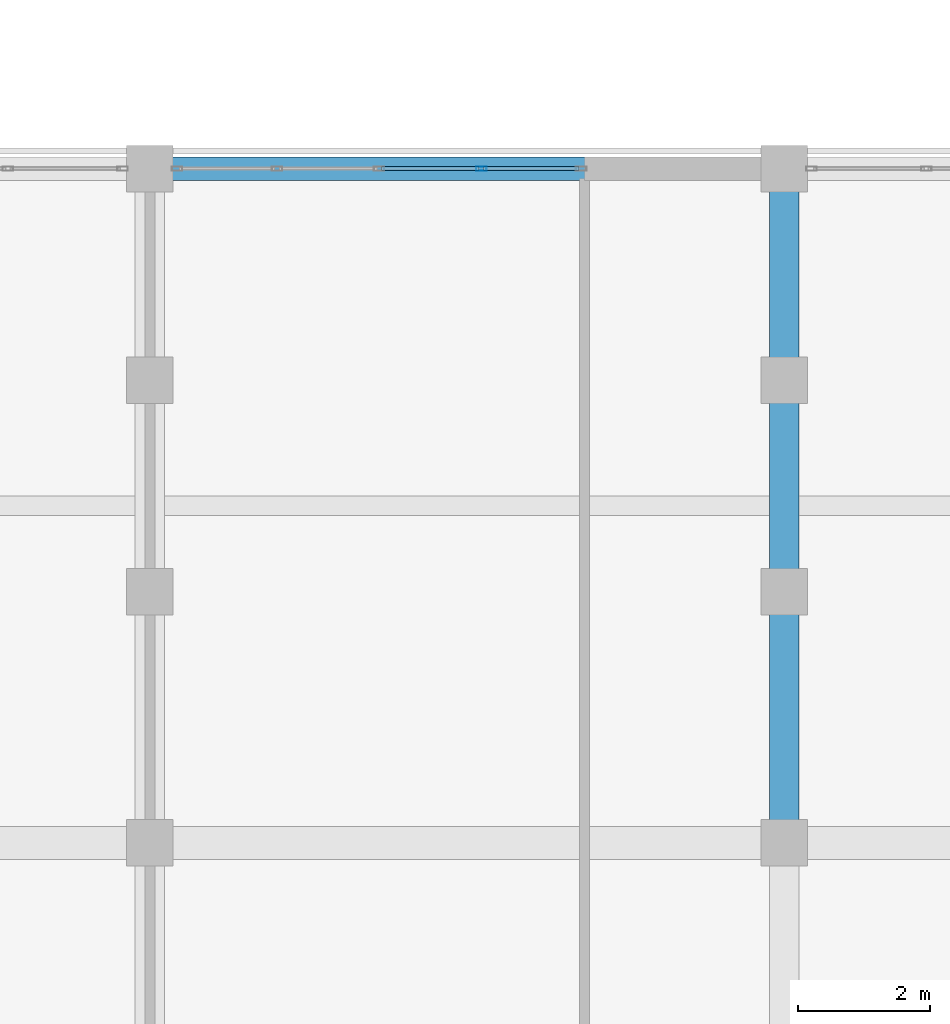
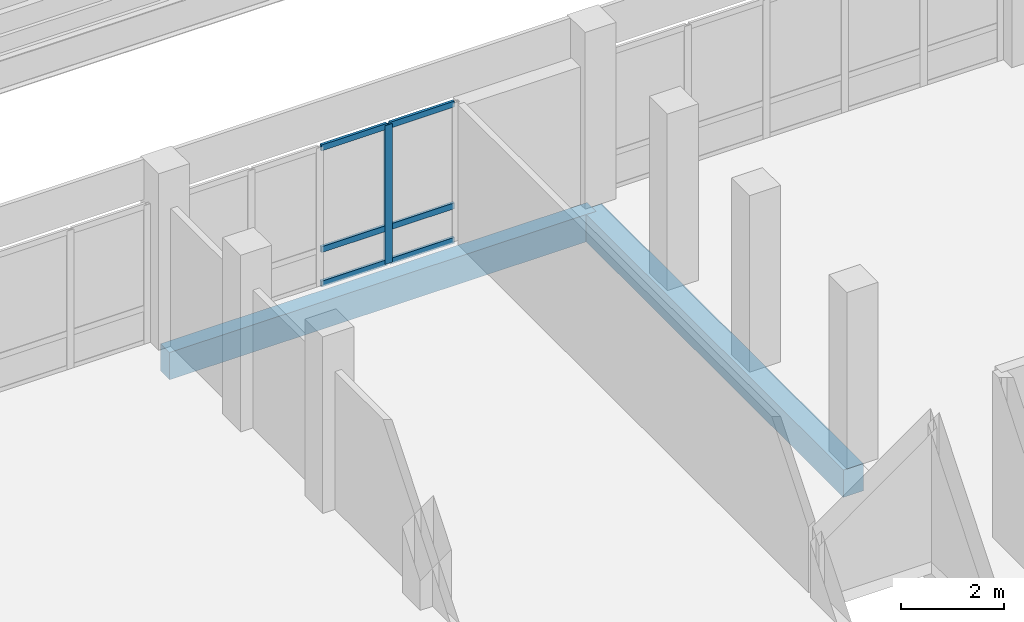
# One storey, part 31 of 185: 7 members, 2 beams, 1 element without a shape of its own.
"""IFC4 building model written with IfcOpenShell, lengths in metres."""

from ifc_helpers import new_model, si_unit, direction, frame, origin, origin_2d, place, context, subcontext, project, spatial, rectangle, hollow_rectangle, extrude, material, material_profile, profile_set, type_object, element, aggregate, save


model = new_model("IFC4")

# Units and contexts
model_context = context("Model", 3, precision=1e-05, world=origin(), true_north=direction((0.0, 1.0)))
body_context = subcontext(model_context, "Body", "Model", "MODEL_VIEW")
ifc_project = project(units=[si_unit("LENGTHUNIT", "METRE"), si_unit("AREAUNIT", "SQUARE_METRE"), si_unit("VOLUMEUNIT", "CUBIC_METRE"), si_unit("PLANEANGLEUNIT", "RADIAN"), si_unit("MASSUNIT", "GRAM", prefix="KILO")], contexts=[model_context])

# Site, building, storey
site_placement = place(None, origin())
site = spatial("IfcSite", under=ifc_project, at=site_placement, CompositionType="ELEMENT")
building_placement = place(site_placement, origin())
building = spatial("IfcBuilding", under=site, at=building_placement, Name="Vondelvale Polytechnic", CompositionType="ELEMENT")
storey_placement = place(building_placement, frame((0.0, 0.0, 9.60009765625)))
storey = spatial("IfcBuildingStorey", under=building, at=storey_placement, Name="L02", CompositionType="ELEMENT", Elevation=9.60009765625)

# Beam
ifc_material_1 = material(Name="Concrete N40 (f'c = 40 MPa)", Category="concrete")
ifc_material_profile_1 = material_profile(ifc_material_1, rectangle(XDim=0.449951171875, YDim=0.64990234375, at=origin_2d()), Name="RC-BM-450x650")
ifc_profile_set_1 = profile_set([ifc_material_profile_1], Name="Concrete N40 (f'c = 40 MPa)")
beam_type_1 = type_object("IfcBeamType", Name="BM-RC450x650", PredefinedType="BEAM", material=ifc_profile_set_1)
beam_1_placement = place(storey_placement, frame((19.199951171875, 30.60009765625, -0.60498046875), z_axis=(0.0, 1.0, 0.0), x_axis=(-1.0, 0.0, 0.0)))
element("IfcBeam", 1, at=beam_1_placement, inside=storey, type_object=beam_type_1, Name="L02 B B-04", PredefinedType="BEAM", context=body_context, shape_type="SweptSolid", body=[
    extrude(rectangle(XDim=0.449951171875, YDim=0.64990234375, at=origin_2d()), origin(), (0.0, 0.0, 1.0), 10.199951171875),
])

# Curtain wall, members
ifc_material_2 = material(Name="Anodised extruded aluminium 6063-T6", Category="aluminium")
curtain_wall_type = type_object("IfcCurtainWallType", Name="CW-STUDIO-NORTH", PredefinedType="NOTDEFINED", material=ifc_material_2)
curtain_wall_placement = place(storey_placement, origin())
curtain_wall = element("IfcCurtainWall", 2, at=curtain_wall_placement, inside=storey, type_object=curtain_wall_type, Name="L02 architectural curtain wall CW-01-020", PredefinedType="NOTDEFINED")
ifc_material_profile_2 = material_profile(ifc_material_2, hollow_rectangle(XDim=0.06494140625, YDim=0.159912109375, WallThickness=0.0048828125, at=origin_2d()), Name="CW-MUL-160x65")
ifc_profile_set_2 = profile_set([ifc_material_profile_2], Name="Anodised extruded aluminium 6063-T6")
member_type_1 = type_object("IfcMemberType", Name="CW-MUL-65x160", PredefinedType="MULLION", material=ifc_profile_set_2)
member_1_placement = place(storey_placement, frame((14.614990234375, 40.800048828125, 0.0), z_axis=(0.0, 0.0, 1.0), x_axis=(0.0, 1.0, 0.0)))
member_1 = element("IfcMember", 3, at=member_1_placement, type_object=member_type_1, Name="CW-01-020 mullion 4", PredefinedType="MULLION", context=body_context, shape_type="SweptSolid", body=[
    extrude(hollow_rectangle(XDim=0.06494140625, YDim=0.159912109375, WallThickness=0.0048828125, at=origin_2d()), origin(), (0.0, 0.0, 1.0), 3.2998046875),
])
ifc_material_profile_3 = material_profile(ifc_material_2, hollow_rectangle(XDim=0.06005859375, YDim=0.139892578125, WallThickness=0.00341796875, at=origin_2d()), Name="CW-TRN-140x60")
ifc_profile_set_3 = profile_set([ifc_material_profile_3], Name="Anodised extruded aluminium 6063-T6")
member_type_2 = type_object("IfcMemberType", Name="CW-TRN-60x140", PredefinedType="USERDEFINED", material=ifc_profile_set_3)
member_2_placement = place(storey_placement, frame((13.1025390625, 40.800048828125, 0.02978515625), z_axis=(1.0, 0.0, 0.0), x_axis=(0.0, 1.0, 0.0)))
member_2 = element("IfcMember", 4, at=member_2_placement, type_object=member_type_2, Name="CW-01-020 transom 3.1", ObjectType="TRANSOM", PredefinedType="USERDEFINED", context=body_context, shape_type="SweptSolid", body=[
    extrude(hollow_rectangle(XDim=0.06005859375, YDim=0.139892578125, WallThickness=0.00341796875, at=origin_2d()), origin(), (0.0, 0.0, 1.0), 1.47998046875),
])
member_3_placement = place(storey_placement, frame((13.1025390625, 40.800048828125, 0.849853515625), z_axis=(1.0, 0.0, 0.0), x_axis=(0.0, 1.0, 0.0)))
member_3 = element("IfcMember", 5, at=member_3_placement, type_object=member_type_2, Name="CW-01-020 transom 3.2", ObjectType="TRANSOM", PredefinedType="USERDEFINED", context=body_context, shape_type="SweptSolid", body=[
    extrude(hollow_rectangle(XDim=0.06005859375, YDim=0.139892578125, WallThickness=0.00341796875, at=origin_2d()), origin(), (0.0, 0.0, 1.0), 1.47998046875),
])
member_4_placement = place(storey_placement, frame((13.1025390625, 40.800048828125, 3.27001953125), z_axis=(1.0, 0.0, 0.0), x_axis=(0.0, 1.0, 0.0)))
member_4 = element("IfcMember", 6, at=member_4_placement, type_object=member_type_2, Name="CW-01-020 transom 3.3", ObjectType="TRANSOM", PredefinedType="USERDEFINED", context=body_context, shape_type="SweptSolid", body=[
    extrude(hollow_rectangle(XDim=0.06005859375, YDim=0.139892578125, WallThickness=0.00341796875, at=origin_2d()), origin(), (0.0, 0.0, 1.0), 1.47998046875),
])
member_5_placement = place(storey_placement, frame((14.6474609375, 40.800048828125, 0.02978515625), z_axis=(1.0, 0.0, 0.0), x_axis=(0.0, 1.0, 0.0)))
member_5 = element("IfcMember", 7, at=member_5_placement, type_object=member_type_2, Name="CW-01-020 transom 4.1", ObjectType="TRANSOM", PredefinedType="USERDEFINED", context=body_context, shape_type="SweptSolid", body=[
    extrude(hollow_rectangle(XDim=0.06005859375, YDim=0.139892578125, WallThickness=0.00341796875, at=origin_2d()), origin(), (0.0, 0.0, 1.0), 1.447509765625),
])
member_6_placement = place(storey_placement, frame((14.6474609375, 40.800048828125, 0.849853515625), z_axis=(1.0, 0.0, 0.0), x_axis=(0.0, 1.0, 0.0)))
member_6 = element("IfcMember", 8, at=member_6_placement, type_object=member_type_2, Name="CW-01-020 transom 4.2", ObjectType="TRANSOM", PredefinedType="USERDEFINED", context=body_context, shape_type="SweptSolid", body=[
    extrude(hollow_rectangle(XDim=0.06005859375, YDim=0.139892578125, WallThickness=0.00341796875, at=origin_2d()), origin(), (0.0, 0.0, 1.0), 1.447509765625),
])
member_7_placement = place(storey_placement, frame((14.6474609375, 40.800048828125, 3.27001953125), z_axis=(1.0, 0.0, 0.0), x_axis=(0.0, 1.0, 0.0)))
member_7 = element("IfcMember", 9, at=member_7_placement, type_object=member_type_2, Name="CW-01-020 transom 4.3", ObjectType="TRANSOM", PredefinedType="USERDEFINED", context=body_context, shape_type="SweptSolid", body=[
    extrude(hollow_rectangle(XDim=0.06005859375, YDim=0.139892578125, WallThickness=0.00341796875, at=origin_2d()), origin(), (0.0, 0.0, 1.0), 1.447509765625),
])
aggregate(curtain_wall, [member_1, member_2, member_3, member_4, member_5, member_6, member_7])

# Beam
ifc_material_3 = material(Name="Precast concrete N40 (f'c = 40 MPa)", Category="concrete")
ifc_material_profile_4 = material_profile(ifc_material_3, rectangle(XDim=0.35009765625, YDim=0.64990234375, at=origin_2d()), Name="RC-SPN-350x650")
ifc_profile_set_4 = profile_set([ifc_material_profile_4], Name="Precast concrete N40 (f'c = 40 MPa)")
beam_type_2 = type_object("IfcBeamType", Name="SPN-PRE350x650", PredefinedType="SPANDREL", material=ifc_profile_set_4)
beam_2_placement = place(storey_placement, frame((9.60009765625, 40.800048828125, -0.60498046875), z_axis=(1.0, 0.0, 0.0), x_axis=(0.0, 1.0, 0.0)))
element("IfcBeam", 10, at=beam_2_placement, inside=storey, type_object=beam_type_2, Name="L02 B SP-02", PredefinedType="SPANDREL", context=body_context, shape_type="SweptSolid", body=[
    extrude(rectangle(XDim=0.35009765625, YDim=0.64990234375, at=origin_2d()), origin(), (0.0, 0.0, 1.0), 9.599853515625),
])

save(model, "model.ifc")
